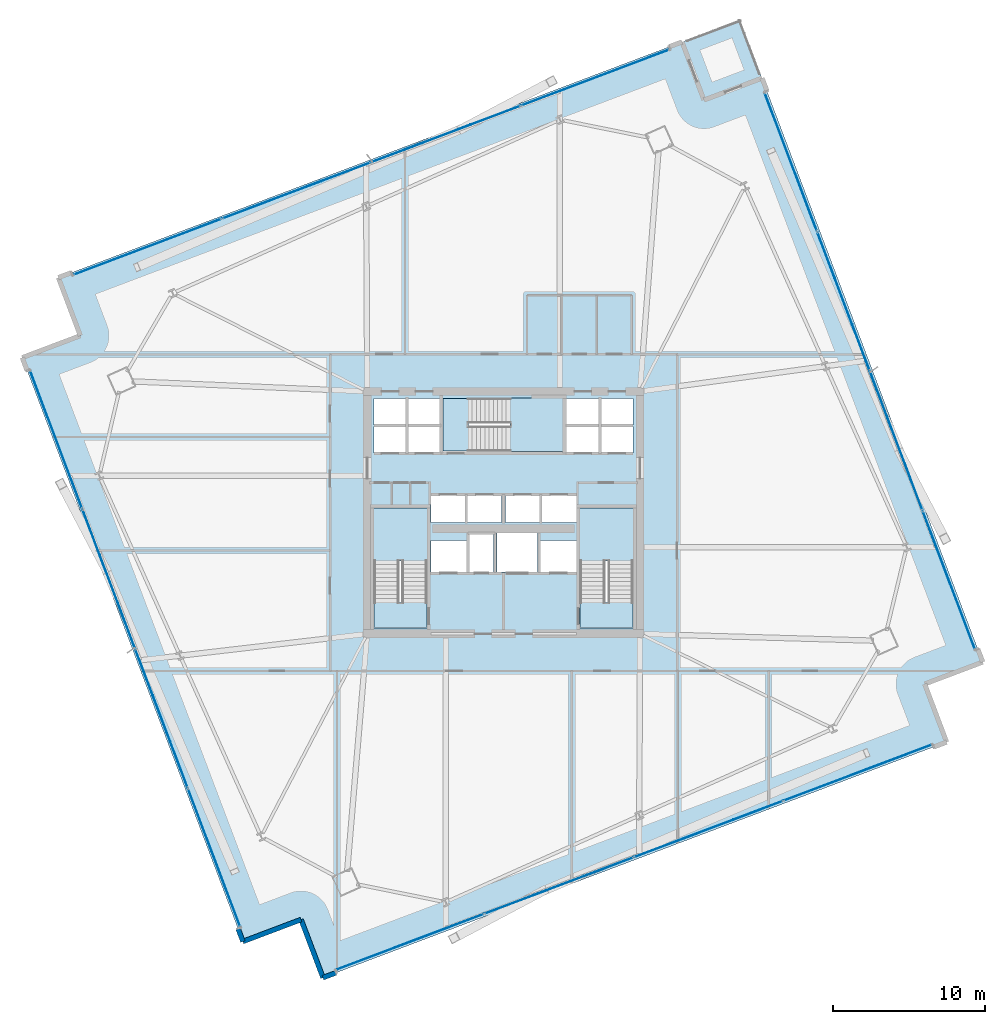
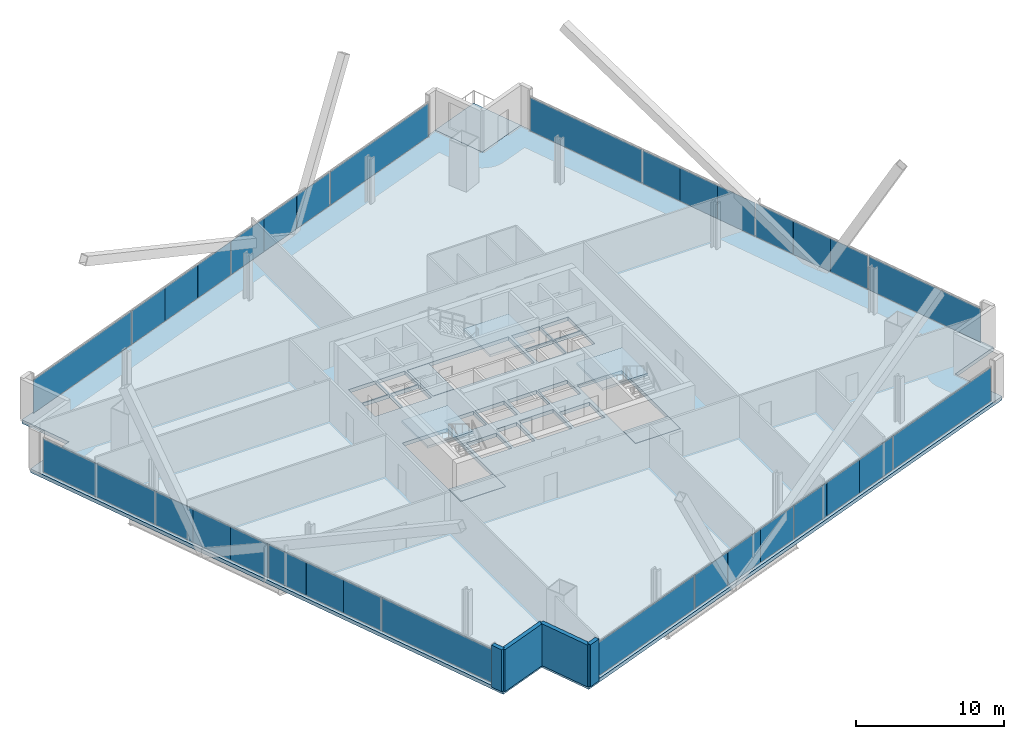
# One storey, part 28 of 37: 32 plates, 8 slabs, 4 walls, 7 elements without a shape of their own.
"""IFC4 building model written with IfcOpenShell, lengths in metres."""

from ifc_helpers import new_model, si_unit, direction, frame, frame_2d, origin, origin_2d, place, context, subcontext, project, spatial, polyline, rectangle, outline, extrude, source, transform, mapped, material, layer, layer_set, type_object, element, aggregate, save


model = new_model("IFC4")

# Units and contexts
model_context = context("Model", 3, precision=1e-05, world=origin(), true_north=direction((0.0, 1.0)))
body_context = subcontext(model_context, "Body", "Model", "MODEL_VIEW")
ifc_project = project(units=[si_unit("LENGTHUNIT", "METRE"), si_unit("AREAUNIT", "SQUARE_METRE"), si_unit("VOLUMEUNIT", "CUBIC_METRE"), si_unit("PLANEANGLEUNIT", "RADIAN"), si_unit("MASSUNIT", "GRAM", prefix="KILO")], contexts=[model_context])

# Site, building, storey
site_placement = place(None, origin())
site = spatial("IfcSite", under=ifc_project, at=site_placement, CompositionType="ELEMENT")
building_placement = place(site_placement, origin())
building = spatial("IfcBuilding", under=site, at=building_placement, Name="Haldenkirk Collegiate Tower", CompositionType="ELEMENT")
storey_placement = place(building_placement, frame((0.0, 0.0, 97.949951171875)))
storey = spatial("IfcBuildingStorey", under=building, at=storey_placement, Name="L23", CompositionType="ELEMENT", Elevation=97.949951171875)

# Slab
ifc_material_1 = material(Name="Concrete f'c 40 MPa", Category="concrete")
ifc_layer_1 = layer(ifc_material_1, 0.300048828125)
ifc_layer_set_1 = layer_set([ifc_layer_1], Name="Concrete f'c 40 MPa")
slab_type_1 = type_object("IfcSlabType", Name="SLB-FLR-300", PredefinedType="FLOOR", material=ifc_layer_set_1)
slab_1_placement = place(storey_placement, frame((0.0, 0.0, -0.300048828125)))
element("IfcSlab", 1, at=slab_1_placement, inside=storey, type_object=slab_type_1, Name="L23 composite structural floor slab", PredefinedType="FLOOR", context=body_context, shape_type="SweptSolid", body=[
    extrude(outline(polyline([(24.080322265625, -4.69482421875), (65.239990234375, 10.858154296875), (63.790771484375, 14.693359375), (67.6259765625, 16.142578125), (53.062744140625, 54.682861328125), (49.2275390625, 53.233642578125), (47.7783203125, 57.069091796875), (6.61865234375, 41.51611328125), (8.068115234375, 37.680908203125), (4.232666015625, 36.2314453125), (18.7958984375, -2.308837890625), (22.631103515625, -0.859619140625), (24.080322265625, -4.69482421875)]), holes=[polyline([(27.449951171875, 18.39990234375), (30.949951171875, 18.39990234375), (30.949951171875, 26.300048828125), (27.449951171875, 26.300048828125), (27.449951171875, 18.39990234375)]), polyline([(41.050048828125, 18.39990234375), (44.550048828125, 18.39990234375), (44.550048828125, 26.300048828125), (41.050048828125, 26.300048828125), (41.050048828125, 18.39990234375)]), polyline([(32.0, 30.050048828125), (39.89990234375, 30.050048828125), (39.89990234375, 33.550048828125), (32.0, 33.550048828125), (32.0, 30.050048828125)]), polyline([(33.75, 22.10009765625), (35.35009765625, 22.10009765625), (35.35009765625, 24.550048828125), (33.75, 24.550048828125), (33.75, 22.10009765625)]), polyline([(27.449951171875, 29.949951171875), (29.580078125, 29.949951171875), (29.580078125, 31.699951171875), (27.449951171875, 31.699951171875), (27.449951171875, 29.949951171875)]), polyline([(29.679931640625, 29.949951171875), (31.85009765625, 29.949951171875), (31.85009765625, 31.699951171875), (29.679931640625, 31.699951171875), (29.679931640625, 29.949951171875)]), polyline([(27.449951171875, 31.800048828125), (29.580078125, 31.800048828125), (29.580078125, 33.550048828125), (27.449951171875, 33.550048828125), (27.449951171875, 31.800048828125)]), polyline([(29.679931640625, 31.800048828125), (31.85009765625, 31.800048828125), (31.85009765625, 33.550048828125), (29.679931640625, 33.550048828125), (29.679931640625, 31.800048828125)]), polyline([(40.14990234375, 29.949951171875), (42.320068359375, 29.949951171875), (42.320068359375, 31.699951171875), (40.14990234375, 31.699951171875), (40.14990234375, 29.949951171875)]), polyline([(42.419921875, 29.949951171875), (44.550048828125, 29.949951171875), (44.550048828125, 31.699951171875), (42.419921875, 31.699951171875), (42.419921875, 29.949951171875)]), polyline([(40.14990234375, 31.800048828125), (42.320068359375, 31.800048828125), (42.320068359375, 33.550048828125), (40.14990234375, 33.550048828125), (40.14990234375, 31.800048828125)]), polyline([(42.419921875, 31.800048828125), (44.550048828125, 31.800048828125), (44.550048828125, 33.550048828125), (42.419921875, 33.550048828125), (42.419921875, 31.800048828125)]), polyline([(31.199951171875, 25.35009765625), (33.47998046875, 25.35009765625), (33.47998046875, 27.14990234375), (31.199951171875, 27.14990234375), (31.199951171875, 25.35009765625)]), polyline([(33.60009765625, 25.35009765625), (35.8798828125, 25.35009765625), (35.8798828125, 27.14990234375), (33.60009765625, 27.14990234375), (33.60009765625, 25.35009765625)]), polyline([(36.1201171875, 25.35009765625), (38.39990234375, 25.35009765625), (38.39990234375, 27.14990234375), (36.1201171875, 27.14990234375), (36.1201171875, 25.35009765625)]), polyline([(38.52001953125, 25.35009765625), (40.800048828125, 25.35009765625), (40.800048828125, 27.14990234375), (38.52001953125, 27.14990234375), (38.52001953125, 25.35009765625)]), polyline([(31.199951171875, 22.10009765625), (33.550048828125, 22.10009765625), (33.550048828125, 24.14990234375), (31.199951171875, 24.14990234375), (31.199951171875, 22.10009765625)]), polyline([(38.449951171875, 22.10009765625), (40.800048828125, 22.10009765625), (40.800048828125, 24.14990234375), (38.449951171875, 24.14990234375), (38.449951171875, 22.10009765625)]), polyline([(35.550048828125, 22.10009765625), (38.25, 22.10009765625), (38.25, 24.64990234375), (35.550048828125, 24.64990234375), (35.550048828125, 22.10009765625)])]), origin(), (0.0, 0.0, 1.0), 0.300048828125),
])

# Stair, slab
stair_type = type_object("IfcStairType", Name="STR-DOGLEG-1650", PredefinedType="HALF_TURN_STAIR", material=ifc_material_1)
stair_1_placement = place(storey_placement, origin())
stair_1 = element("IfcStair", 2, at=stair_1_placement, inside=storey, type_object=stair_type, Name="L23 Core Exit Stair ST-1", PredefinedType="HALF_TURN_STAIR")
ifc_layer_2 = layer(ifc_material_1, 0.199951171875)
ifc_layer_set_2 = layer_set([ifc_layer_2], Name="Concrete f'c 40 MPa")
slab_type_2 = type_object("IfcSlabType", Name="SLB-LANDING-200", PredefinedType="LANDING", material=ifc_layer_set_2)
slab_2_placement = place(storey_placement, frame((0.0, 0.0, 1.675048828125)))
slab_2 = element("IfcSlab", 3, at=slab_2_placement, type_object=slab_type_2, Name="ST-1 landing 1", PredefinedType="LANDING", context=body_context, shape_type="SweptSolid", body=[
    extrude(outline(polyline([(30.97509765625, 22.824951171875), (27.425048828125, 22.824951171875), (27.425048828125, 26.324951171875), (30.97509765625, 26.324951171875), (30.97509765625, 22.824951171875)])), origin(), (0.0, 0.0, 1.0), 0.199951171875),
])
aggregate(stair_1, [slab_2])

stair_2_placement = place(storey_placement, origin())
stair_2 = element("IfcStair", 4, at=stair_2_placement, inside=storey, type_object=stair_type, Name="L23 Core Exit Stair ST-2", PredefinedType="HALF_TURN_STAIR")
slab_3_placement = place(storey_placement, frame((0.0, 0.0, 1.675048828125)))
slab_3 = element("IfcSlab", 5, at=slab_3_placement, type_object=slab_type_2, Name="ST-2 landing 1", PredefinedType="LANDING", context=body_context, shape_type="SweptSolid", body=[
    extrude(outline(polyline([(44.574951171875, 22.824951171875), (41.02490234375, 22.824951171875), (41.02490234375, 26.324951171875), (44.574951171875, 26.324951171875), (44.574951171875, 22.824951171875)])), origin(), (0.0, 0.0, 1.0), 0.199951171875),
])
aggregate(stair_2, [slab_3])

stair_3_placement = place(storey_placement, origin())
stair_3 = element("IfcStair", 6, at=stair_3_placement, inside=storey, type_object=stair_type, Name="L23 Core Exit Stair ST-3", PredefinedType="HALF_TURN_STAIR")
slab_4_placement = place(storey_placement, frame((0.0, 0.0, 1.675048828125)))
slab_4 = element("IfcSlab", 7, at=slab_4_placement, type_object=slab_type_2, Name="ST-3 landing 1", PredefinedType="LANDING", context=body_context, shape_type="SweptSolid", body=[
    extrude(outline(polyline([(36.425048828125, 30.02490234375), (36.425048828125, 33.574951171875), (39.925048828125, 33.574951171875), (39.925048828125, 30.02490234375), (36.425048828125, 30.02490234375)])), origin(), (0.0, 0.0, 1.0), 0.199951171875),
])
aggregate(stair_3, [slab_4])

# Slabs
ifc_layer_3 = layer(ifc_material_1, 0.25)
ifc_layer_set_3 = layer_set([ifc_layer_3], Name="Concrete f'c 40 MPa")
slab_type_3 = type_object("IfcSlabType", Name="SLB-STAIRLAND-250", PredefinedType="LANDING", material=ifc_layer_set_3)
slab_5_placement = place(storey_placement, frame((0.0, 0.0, -0.25)))
element("IfcSlab", 8, at=slab_5_placement, inside=storey, type_object=slab_type_3, Name="L23 stair ST1 structural floor landing slab", PredefinedType="LANDING", context=body_context, shape_type="SweptSolid", body=[
    extrude(outline(polyline([(27.4599609375, 18.409912109375), (30.93994140625, 18.409912109375), (30.93994140625, 20.080078125), (27.4599609375, 20.080078125), (27.4599609375, 18.409912109375)])), origin(), (0.0, 0.0, 1.0), 0.25),
])
slab_6_placement = place(storey_placement, frame((0.0, 0.0, -0.25)))
element("IfcSlab", 9, at=slab_6_placement, inside=storey, type_object=slab_type_3, Name="L23 stair ST2 structural floor landing slab", PredefinedType="LANDING", context=body_context, shape_type="SweptSolid", body=[
    extrude(outline(polyline([(41.06005859375, 18.409912109375), (44.5400390625, 18.409912109375), (44.5400390625, 20.080078125), (41.06005859375, 20.080078125), (41.06005859375, 18.409912109375)])), origin(), (0.0, 0.0, 1.0), 0.25),
])
slab_7_placement = place(storey_placement, frame((0.0, 0.0, -0.25)))
element("IfcSlab", 10, at=slab_7_placement, inside=storey, type_object=slab_type_3, Name="L23 stair ST3 structural floor landing slab", PredefinedType="LANDING", context=body_context, shape_type="SweptSolid", body=[
    extrude(outline(polyline([(32.010009765625, 30.06005859375), (33.679931640625, 30.06005859375), (33.679931640625, 33.5400390625), (32.010009765625, 33.5400390625), (32.010009765625, 30.06005859375)])), origin(), (0.0, 0.0, 1.0), 0.25),
])
ifc_layer_4 = layer(ifc_material_1, 0.22998046875)
ifc_layer_set_4 = layer_set([ifc_layer_4], Name="Concrete f'c 40 MPa")
slab_type_4 = type_object("IfcSlabType", Name="SLB-TERR-SPIRAL-230", PredefinedType="FLOOR", material=ifc_layer_set_4)
slab_8_placement = place(storey_placement, frame((0.0, 0.0, -0.22998046875)))
element("IfcSlab", 11, at=slab_8_placement, inside=storey, type_object=slab_type_4, Name="L23 spiralling corner terrace slab", PredefinedType="FLOOR", context=body_context, shape_type="SweptSolid", body=[
    extrude(outline(polyline([(49.2275390625, 53.233642578125), (53.062744140625, 54.682861328125), (51.613525390625, 58.518310546875), (47.7783203125, 57.069091796875), (49.2275390625, 53.233642578125)])), origin(), (0.0, 0.0, 1.0), 0.22998046875),
])

# Curtain wall, plates
ifc_material_2 = material(Name="Anodised architectural bronze aluminium", Category="aluminium")
curtain_wall_type_1 = type_object("IfcCurtainWallType", Name="CW-SYS2-CONCAVE", PredefinedType="USERDEFINED", material=ifc_material_2)
curtain_wall_1_placement = place(storey_placement, origin())
curtain_wall_1 = element("IfcCurtainWall", 12, at=curtain_wall_1_placement, inside=storey, type_object=curtain_wall_type_1, Name="L23 South concave recessed bronze-anodised curtain wall", ObjectType="UNITISED CURTAIN WALL", PredefinedType="USERDEFINED")
ifc_material_3 = material(Name="Low-E argon triple insulating glass", Category="glass")
ifc_layer_5 = layer(ifc_material_3, 0.0419921875)
ifc_layer_set_5 = layer_set([ifc_layer_5], Name="Low-E argon triple insulating glass")
plate_type_1 = type_object("IfcPlateType", Name="CW-PNL-02", PredefinedType="CURTAIN_PANEL", material=ifc_layer_set_5)
shared_shape_1 = source(origin(), body_context, "Body", "SweptSolid", [
    extrude(rectangle(XDim=10.4375, YDim=0.0419921875, at=origin_2d()), origin(), (0.0, 0.0, 1.0), 2.7509765625),
])
plate_1_placement = place(storey_placement, frame((59.38232421875, 8.837158203125, 0.074951171875), z_axis=(0.0, 0.0, 1.0), x_axis=(-0.935443435417, -0.353476419489, 0.0)))
plate_1 = element("IfcPlate", 13, at=plate_1_placement, type_object=plate_type_1, Name="CW-02 panel 1.1", PredefinedType="CURTAIN_PANEL", context=body_context, shape_type="MappedRepresentation", body=[
    mapped(shared_shape_1, transform((0.0, 0.0, 0.0), x_axis=(1.0, 0.0, 0.0), y_axis=(0.0, 1.0, 0.0), z_axis=(0.0, 0.0, 1.0), scale=1.0)),
])
plate_2_placement = place(storey_placement, frame((29.810791015625, -2.337158203125, 0.074951171875), z_axis=(0.0, 0.0, 1.0), x_axis=(-0.935443435417, -0.353476419489, 0.0)))
plate_2 = element("IfcPlate", 14, at=plate_2_placement, type_object=plate_type_1, Name="CW-02 panel 4.1", PredefinedType="CURTAIN_PANEL", context=body_context, shape_type="MappedRepresentation", body=[
    mapped(shared_shape_1, transform((0.0, 0.0, 0.0), x_axis=(1.0, 0.0, 0.0), y_axis=(0.0, 1.0, 0.0), z_axis=(0.0, 0.0, 1.0), scale=1.0)),
])
shared_shape_2 = source(origin(), body_context, "Body", "SweptSolid", [
    extrude(rectangle(XDim=3.479248046875, YDim=0.0419921875, at=origin_2d()), origin(), (0.0, 0.0, 1.0), 2.7509765625),
])
plate_3_placement = place(storey_placement, frame((52.802978515625, 6.35107421875, 0.074951171875), z_axis=(0.0, 0.0, 1.0), x_axis=(-0.935443435417, -0.353476419489, 0.0)))
plate_3 = element("IfcPlate", 15, at=plate_3_placement, type_object=plate_type_1, Name="CW-02 panel 2.1a", PredefinedType="CURTAIN_PANEL", context=body_context, shape_type="MappedRepresentation", body=[
    mapped(shared_shape_2, transform((0.0, 0.0, 0.0), x_axis=(1.0, 0.0, 0.0), y_axis=(0.0, 1.0, 0.0), z_axis=(0.0, 0.0, 1.0), scale=1.0)),
])
ifc_material_4 = material(Name="Bronze-anodised insulated aluminium spandrel panel", Category="aluminium")
ifc_layer_6 = layer(ifc_material_4, 0.0419921875)
ifc_layer_set_6 = layer_set([ifc_layer_6], Name="Bronze-anodised insulated aluminium spandrel panel")
plate_type_2 = type_object("IfcPlateType", Name="CW-SPD-02", PredefinedType="CURTAIN_PANEL", material=ifc_layer_set_6)
plate_4_placement = place(storey_placement, frame((46.2587890625, 3.878173828125, 0.074951171875), z_axis=(0.0, 0.0, 1.0), x_axis=(-0.935443435417, -0.353476419489, 0.0)))
plate_4 = element("IfcPlate", 16, at=plate_4_placement, type_object=plate_type_2, Name="CW-02 spandrel panel 2.1c", PredefinedType="CURTAIN_PANEL", context=body_context, shape_type="MappedRepresentation", body=[
    mapped(shared_shape_2, transform((0.0, 0.0, 0.0), x_axis=(1.0, 0.0, 0.0), y_axis=(0.0, 1.0, 0.0), z_axis=(0.0, 0.0, 1.0), scale=1.0)),
])
plate_5_placement = place(storey_placement, frame((42.93408203125, 2.621826171875, 0.074951171875), z_axis=(0.0, 0.0, 1.0), x_axis=(-0.935443435417, -0.353476419489, 0.0)))
plate_5 = element("IfcPlate", 17, at=plate_5_placement, type_object=plate_type_2, Name="CW-02 spandrel panel 3.1a", PredefinedType="CURTAIN_PANEL", context=body_context, shape_type="MappedRepresentation", body=[
    mapped(shared_shape_2, transform((0.0, 0.0, 0.0), x_axis=(1.0, 0.0, 0.0), y_axis=(0.0, 1.0, 0.0), z_axis=(0.0, 0.0, 1.0), scale=1.0)),
])
plate_6_placement = place(storey_placement, frame((36.389892578125, 0.14892578125, 0.074951171875), z_axis=(0.0, 0.0, 1.0), x_axis=(-0.935443435417, -0.353476419489, 0.0)))
plate_6 = element("IfcPlate", 18, at=plate_6_placement, type_object=plate_type_2, Name="CW-02 spandrel panel 3.1c", PredefinedType="CURTAIN_PANEL", context=body_context, shape_type="MappedRepresentation", body=[
    mapped(shared_shape_2, transform((0.0, 0.0, 0.0), x_axis=(1.0, 0.0, 0.0), y_axis=(0.0, 1.0, 0.0), z_axis=(0.0, 0.0, 1.0), scale=1.0)),
])
shared_shape_3 = source(origin(), body_context, "Body", "SweptSolid", [
    extrude(rectangle(XDim=3.466796875, YDim=0.0419921875, at=origin_2d()), origin(), (0.0, 0.0, 1.0), 2.7509765625),
])
plate_7_placement = place(storey_placement, frame((49.531005859375, 5.114501953125, 0.074951171875), z_axis=(0.0, 0.0, 1.0), x_axis=(-0.935443435417, -0.353476419489, 0.0)))
plate_7 = element("IfcPlate", 19, at=plate_7_placement, type_object=plate_type_1, Name="CW-02 panel 2.1b", PredefinedType="CURTAIN_PANEL", context=body_context, shape_type="MappedRepresentation", body=[
    mapped(shared_shape_3, transform((0.0, 0.0, 0.0), x_axis=(1.0, 0.0, 0.0), y_axis=(0.0, 1.0, 0.0), z_axis=(0.0, 0.0, 1.0), scale=1.0)),
])
plate_8_placement = place(storey_placement, frame((39.662109375, 1.385498046875, 0.074951171875), z_axis=(0.0, 0.0, 1.0), x_axis=(-0.935443435417, -0.353476419489, 0.0)))
plate_8 = element("IfcPlate", 20, at=plate_8_placement, type_object=plate_type_2, Name="CW-02 spandrel panel 3.1b", PredefinedType="CURTAIN_PANEL", context=body_context, shape_type="MappedRepresentation", body=[
    mapped(shared_shape_3, transform((0.0, 0.0, 0.0), x_axis=(1.0, 0.0, 0.0), y_axis=(0.0, 1.0, 0.0), z_axis=(0.0, 0.0, 1.0), scale=1.0)),
])
aggregate(curtain_wall_1, [plate_1, plate_3, plate_7, plate_4, plate_5, plate_8, plate_6, plate_2])

curtain_wall_type_2 = type_object("IfcCurtainWallType", Name="CW-SYS1-CONVEX-LOW", PredefinedType="USERDEFINED", material=ifc_material_2)
curtain_wall_2_placement = place(storey_placement, origin())
curtain_wall_2 = element("IfcCurtainWall", 21, at=curtain_wall_2_placement, inside=storey, type_object=curtain_wall_type_2, Name="L23 Lower tower convex bronze-framed unitised curtain wall", ObjectType="UNITISED CURTAIN WALL", PredefinedType="USERDEFINED")
ifc_layer_7 = layer(ifc_material_3, 0.0439453125)
ifc_layer_set_7 = layer_set([ifc_layer_7], Name="Low-E argon triple insulating glass")
plate_type_3 = type_object("IfcPlateType", Name="CW-PNL-1A", PredefinedType="CURTAIN_PANEL", material=ifc_layer_set_7)
shared_shape_4 = source(origin(), body_context, "Body", "SweptSolid", [
    extrude(rectangle(XDim=9.72998046875, YDim=0.0439453125, at=origin_2d()), origin(), (0.0, 0.0, 1.0), 2.740966796875),
])
plate_9_placement = place(storey_placement, frame((54.96044921875, 49.151611328125, 0.080078125), z_axis=(0.0, 0.0, 1.0), x_axis=(0.35347682478, -0.93544328227, 0.0)))
plate_9 = element("IfcPlate", 22, at=plate_9_placement, type_object=plate_type_3, Name="CW-1A panel 1.1", PredefinedType="CURTAIN_PANEL", context=body_context, shape_type="MappedRepresentation", body=[
    mapped(shared_shape_4, transform((0.0, 0.0, 0.0), x_axis=(1.0, 0.0, 0.0), y_axis=(0.0, 1.0, 0.0), z_axis=(0.0, 0.0, 1.0), scale=1.0)),
])
plate_10_placement = place(storey_placement, frame((65.3916015625, 21.546630859375, 0.080078125), z_axis=(0.0, 0.0, 1.0), x_axis=(0.35347682478, -0.93544328227, 0.0)))
plate_10 = element("IfcPlate", 23, at=plate_10_placement, type_object=plate_type_3, Name="CW-1A panel 4.1", PredefinedType="CURTAIN_PANEL", context=body_context, shape_type="MappedRepresentation", body=[
    mapped(shared_shape_4, transform((0.0, 0.0, 0.0), x_axis=(1.0, 0.0, 0.0), y_axis=(0.0, 1.0, 0.0), z_axis=(0.0, 0.0, 1.0), scale=1.0)),
])

curtain_wall_3_placement = place(storey_placement, origin())
curtain_wall_3 = element("IfcCurtainWall", 24, at=curtain_wall_3_placement, inside=storey, type_object=curtain_wall_type_2, Name="L23 Lower tower convex bronze-framed unitised curtain wall", ObjectType="UNITISED CURTAIN WALL", PredefinedType="USERDEFINED")
plate_11_placement = place(storey_placement, frame((16.898193359375, 3.222412109375, 0.080078125), z_axis=(0.0, 0.0, 1.0), x_axis=(-0.35347682478, 0.93544328227, 0.0)))
plate_11 = element("IfcPlate", 25, at=plate_11_placement, type_object=plate_type_3, Name="CW-1A panel 1.1", PredefinedType="CURTAIN_PANEL", context=body_context, shape_type="MappedRepresentation", body=[
    mapped(shared_shape_4, transform((0.0, 0.0, 0.0), x_axis=(1.0, 0.0, 0.0), y_axis=(0.0, 1.0, 0.0), z_axis=(0.0, 0.0, 1.0), scale=1.0)),
])
plate_12_placement = place(storey_placement, frame((6.467041015625, 30.827392578125, 0.080078125), z_axis=(0.0, 0.0, 1.0), x_axis=(-0.35347682478, 0.93544328227, 0.0)))
plate_12 = element("IfcPlate", 26, at=plate_12_placement, type_object=plate_type_3, Name="CW-1A panel 4.1", PredefinedType="CURTAIN_PANEL", context=body_context, shape_type="MappedRepresentation", body=[
    mapped(shared_shape_4, transform((0.0, 0.0, 0.0), x_axis=(1.0, 0.0, 0.0), y_axis=(0.0, 1.0, 0.0), z_axis=(0.0, 0.0, 1.0), scale=1.0)),
])

# Plate
shared_shape_5 = source(origin(), body_context, "Body", "SweptSolid", [
    extrude(rectangle(XDim=3.244140625, YDim=0.0439453125, at=origin_2d()), origin(), (0.0, 0.0, 1.0), 2.740966796875),
])
plate_13_placement = place(storey_placement, frame((57.28173828125, 43.008544921875, 0.080078125), z_axis=(0.0, 0.0, 1.0), x_axis=(0.35347682478, -0.93544328227, 0.0)))
plate_13 = element("IfcPlate", 27, at=plate_13_placement, type_object=plate_type_3, Name="CW-1A panel 2.1a", PredefinedType="CURTAIN_PANEL", context=body_context, shape_type="MappedRepresentation", body=[
    mapped(shared_shape_5, transform((0.0, 0.0, 0.0), x_axis=(1.0, 0.0, 0.0), y_axis=(0.0, 1.0, 0.0), z_axis=(0.0, 0.0, 1.0), scale=1.0)),
])

ifc_layer_8 = layer(ifc_material_4, 0.0439453125)
ifc_layer_set_8 = layer_set([ifc_layer_8], Name="Bronze-anodised insulated aluminium spandrel panel")
plate_type_4 = type_object("IfcPlateType", Name="CW-SPD-1A", PredefinedType="CURTAIN_PANEL", material=ifc_layer_set_8)
plate_14_placement = place(storey_placement, frame((59.58837890625, 36.90380859375, 0.080078125), z_axis=(0.0, 0.0, 1.0), x_axis=(0.35347682478, -0.93544328227, 0.0)))
plate_14 = element("IfcPlate", 28, at=plate_14_placement, type_object=plate_type_4, Name="CW-1A spandrel panel 2.1c", PredefinedType="CURTAIN_PANEL", context=body_context, shape_type="MappedRepresentation", body=[
    mapped(shared_shape_5, transform((0.0, 0.0, 0.0), x_axis=(1.0, 0.0, 0.0), y_axis=(0.0, 1.0, 0.0), z_axis=(0.0, 0.0, 1.0), scale=1.0)),
])

plate_15_placement = place(storey_placement, frame((60.763427734375, 33.79443359375, 0.080078125), z_axis=(0.0, 0.0, 1.0), x_axis=(0.35347682478, -0.93544328227, 0.0)))
plate_15 = element("IfcPlate", 29, at=plate_15_placement, type_object=plate_type_4, Name="CW-1A spandrel panel 3.1a", PredefinedType="CURTAIN_PANEL", context=body_context, shape_type="MappedRepresentation", body=[
    mapped(shared_shape_5, transform((0.0, 0.0, 0.0), x_axis=(1.0, 0.0, 0.0), y_axis=(0.0, 1.0, 0.0), z_axis=(0.0, 0.0, 1.0), scale=1.0)),
])

plate_16_placement = place(storey_placement, frame((63.0703125, 27.689697265625, 0.080078125), z_axis=(0.0, 0.0, 1.0), x_axis=(0.35347682478, -0.93544328227, 0.0)))
plate_16 = element("IfcPlate", 30, at=plate_16_placement, type_object=plate_type_4, Name="CW-1A spandrel panel 3.1c", PredefinedType="CURTAIN_PANEL", context=body_context, shape_type="MappedRepresentation", body=[
    mapped(shared_shape_5, transform((0.0, 0.0, 0.0), x_axis=(1.0, 0.0, 0.0), y_axis=(0.0, 1.0, 0.0), z_axis=(0.0, 0.0, 1.0), scale=1.0)),
])

plate_17_placement = place(storey_placement, frame((14.576904296875, 9.365478515625, 0.080078125), z_axis=(0.0, 0.0, 1.0), x_axis=(-0.35347682478, 0.93544328227, 0.0)))
plate_17 = element("IfcPlate", 31, at=plate_17_placement, type_object=plate_type_3, Name="CW-1A panel 2.1a", PredefinedType="CURTAIN_PANEL", context=body_context, shape_type="MappedRepresentation", body=[
    mapped(shared_shape_5, transform((0.0, 0.0, 0.0), x_axis=(1.0, 0.0, 0.0), y_axis=(0.0, 1.0, 0.0), z_axis=(0.0, 0.0, 1.0), scale=1.0)),
])

plate_18_placement = place(storey_placement, frame((12.27001953125, 15.47021484375, 0.080078125), z_axis=(0.0, 0.0, 1.0), x_axis=(-0.35347682478, 0.93544328227, 0.0)))
plate_18 = element("IfcPlate", 32, at=plate_18_placement, type_object=plate_type_4, Name="CW-1A spandrel panel 2.1c", PredefinedType="CURTAIN_PANEL", context=body_context, shape_type="MappedRepresentation", body=[
    mapped(shared_shape_5, transform((0.0, 0.0, 0.0), x_axis=(1.0, 0.0, 0.0), y_axis=(0.0, 1.0, 0.0), z_axis=(0.0, 0.0, 1.0), scale=1.0)),
])

plate_19_placement = place(storey_placement, frame((11.09521484375, 18.57958984375, 0.080078125), z_axis=(0.0, 0.0, 1.0), x_axis=(-0.35347682478, 0.93544328227, 0.0)))
plate_19 = element("IfcPlate", 33, at=plate_19_placement, type_object=plate_type_4, Name="CW-1A spandrel panel 3.1a", PredefinedType="CURTAIN_PANEL", context=body_context, shape_type="MappedRepresentation", body=[
    mapped(shared_shape_5, transform((0.0, 0.0, 0.0), x_axis=(1.0, 0.0, 0.0), y_axis=(0.0, 1.0, 0.0), z_axis=(0.0, 0.0, 1.0), scale=1.0)),
])

plate_20_placement = place(storey_placement, frame((8.788330078125, 24.684326171875, 0.080078125), z_axis=(0.0, 0.0, 1.0), x_axis=(-0.35347682478, 0.93544328227, 0.0)))
plate_20 = element("IfcPlate", 34, at=plate_20_placement, type_object=plate_type_4, Name="CW-1A spandrel panel 3.1c", PredefinedType="CURTAIN_PANEL", context=body_context, shape_type="MappedRepresentation", body=[
    mapped(shared_shape_5, transform((0.0, 0.0, 0.0), x_axis=(1.0, 0.0, 0.0), y_axis=(0.0, 1.0, 0.0), z_axis=(0.0, 0.0, 1.0), scale=1.0)),
])

shared_shape_6 = source(origin(), body_context, "Body", "SweptSolid", [
    extrude(rectangle(XDim=3.231689453125, YDim=0.0439453125, at=origin_2d()), origin(), (0.0, 0.0, 1.0), 2.740966796875),
])
plate_21_placement = place(storey_placement, frame((58.43505859375, 39.956298828125, 0.080078125), z_axis=(0.0, 0.0, 1.0), x_axis=(0.35347682478, -0.93544328227, 0.0)))
plate_21 = element("IfcPlate", 35, at=plate_21_placement, type_object=plate_type_3, Name="CW-1A panel 2.1b", PredefinedType="CURTAIN_PANEL", context=body_context, shape_type="MappedRepresentation", body=[
    mapped(shared_shape_6, transform((0.0, 0.0, 0.0), x_axis=(1.0, 0.0, 0.0), y_axis=(0.0, 1.0, 0.0), z_axis=(0.0, 0.0, 1.0), scale=1.0)),
])

plate_22_placement = place(storey_placement, frame((61.9169921875, 30.7421875, 0.080078125), z_axis=(0.0, 0.0, 1.0), x_axis=(0.35347682478, -0.93544328227, 0.0)))
plate_22 = element("IfcPlate", 36, at=plate_22_placement, type_object=plate_type_4, Name="CW-1A spandrel panel 3.1b", PredefinedType="CURTAIN_PANEL", context=body_context, shape_type="MappedRepresentation", body=[
    mapped(shared_shape_6, transform((0.0, 0.0, 0.0), x_axis=(1.0, 0.0, 0.0), y_axis=(0.0, 1.0, 0.0), z_axis=(0.0, 0.0, 1.0), scale=1.0)),
])

aggregate(curtain_wall_2, [plate_9, plate_13, plate_21, plate_14, plate_15, plate_22, plate_16, plate_10])

plate_23_placement = place(storey_placement, frame((13.423583984375, 12.41796875, 0.080078125), z_axis=(0.0, 0.0, 1.0), x_axis=(-0.35347682478, 0.93544328227, 0.0)))
plate_23 = element("IfcPlate", 37, at=plate_23_placement, type_object=plate_type_3, Name="CW-1A panel 2.1b", PredefinedType="CURTAIN_PANEL", context=body_context, shape_type="MappedRepresentation", body=[
    mapped(shared_shape_6, transform((0.0, 0.0, 0.0), x_axis=(1.0, 0.0, 0.0), y_axis=(0.0, 1.0, 0.0), z_axis=(0.0, 0.0, 1.0), scale=1.0)),
])

plate_24_placement = place(storey_placement, frame((9.941650390625, 21.632080078125, 0.080078125), z_axis=(0.0, 0.0, 1.0), x_axis=(-0.35347682478, 0.93544328227, 0.0)))
plate_24 = element("IfcPlate", 38, at=plate_24_placement, type_object=plate_type_4, Name="CW-1A spandrel panel 3.1b", PredefinedType="CURTAIN_PANEL", context=body_context, shape_type="MappedRepresentation", body=[
    mapped(shared_shape_6, transform((0.0, 0.0, 0.0), x_axis=(1.0, 0.0, 0.0), y_axis=(0.0, 1.0, 0.0), z_axis=(0.0, 0.0, 1.0), scale=1.0)),
])

aggregate(curtain_wall_3, [plate_11, plate_17, plate_23, plate_18, plate_19, plate_24, plate_20, plate_12])

# Curtain wall, plates
curtain_wall_4_placement = place(storey_placement, origin())
curtain_wall_4 = element("IfcCurtainWall", 39, at=curtain_wall_4_placement, inside=storey, type_object=curtain_wall_type_2, Name="L23 Lower tower convex bronze-framed unitised curtain wall", ObjectType="UNITISED CURTAIN WALL", PredefinedType="USERDEFINED")
shared_shape_7 = source(origin(), body_context, "Body", "SweptSolid", [
    extrude(rectangle(XDim=10.429931640625, YDim=0.0439453125, at=origin_2d()), origin(), (0.0, 0.0, 1.0), 2.740966796875),
])
plate_25_placement = place(storey_placement, frame((12.477294921875, 43.537353515625, 0.080078125), z_axis=(0.0, 0.0, 1.0), x_axis=(0.935443435417, 0.353476419489, 0.0)))
plate_25 = element("IfcPlate", 40, at=plate_25_placement, type_object=plate_type_3, Name="CW-1A panel 1.1", PredefinedType="CURTAIN_PANEL", context=body_context, shape_type="MappedRepresentation", body=[
    mapped(shared_shape_7, transform((0.0, 0.0, 0.0), x_axis=(1.0, 0.0, 0.0), y_axis=(0.0, 1.0, 0.0), z_axis=(0.0, 0.0, 1.0), scale=1.0)),
])
plate_26_placement = place(storey_placement, frame((42.046630859375, 54.7109375, 0.080078125), z_axis=(0.0, 0.0, 1.0), x_axis=(0.935443435417, 0.353476419489, 0.0)))
plate_26 = element("IfcPlate", 41, at=plate_26_placement, type_object=plate_type_3, Name="CW-1A panel 4.1", PredefinedType="CURTAIN_PANEL", context=body_context, shape_type="MappedRepresentation", body=[
    mapped(shared_shape_7, transform((0.0, 0.0, 0.0), x_axis=(1.0, 0.0, 0.0), y_axis=(0.0, 1.0, 0.0), z_axis=(0.0, 0.0, 1.0), scale=1.0)),
])
shared_shape_8 = source(origin(), body_context, "Body", "SweptSolid", [
    extrude(rectangle(XDim=3.4775390625, YDim=0.0439453125, at=origin_2d()), origin(), (0.0, 0.0, 1.0), 2.740966796875),
])
plate_27_placement = place(storey_placement, frame((19.056884765625, 46.023681640625, 0.080078125), z_axis=(0.0, 0.0, 1.0), x_axis=(0.935443435417, 0.353476419489, 0.0)))
plate_27 = element("IfcPlate", 42, at=plate_27_placement, type_object=plate_type_3, Name="CW-1A panel 2.1a", PredefinedType="CURTAIN_PANEL", context=body_context, shape_type="MappedRepresentation", body=[
    mapped(shared_shape_8, transform((0.0, 0.0, 0.0), x_axis=(1.0, 0.0, 0.0), y_axis=(0.0, 1.0, 0.0), z_axis=(0.0, 0.0, 1.0), scale=1.0)),
])
plate_28_placement = place(storey_placement, frame((25.59814453125, 48.495361328125, 0.080078125), z_axis=(0.0, 0.0, 1.0), x_axis=(0.935443435417, 0.353476419489, 0.0)))
plate_28 = element("IfcPlate", 43, at=plate_28_placement, type_object=plate_type_4, Name="CW-1A spandrel panel 2.1c", PredefinedType="CURTAIN_PANEL", context=body_context, shape_type="MappedRepresentation", body=[
    mapped(shared_shape_8, transform((0.0, 0.0, 0.0), x_axis=(1.0, 0.0, 0.0), y_axis=(0.0, 1.0, 0.0), z_axis=(0.0, 0.0, 1.0), scale=1.0)),
])
plate_29_placement = place(storey_placement, frame((28.926025390625, 49.7529296875, 0.080078125), z_axis=(0.0, 0.0, 1.0), x_axis=(0.935443435417, 0.353476419489, 0.0)))
plate_29 = element("IfcPlate", 44, at=plate_29_placement, type_object=plate_type_4, Name="CW-1A spandrel panel 3.1a", PredefinedType="CURTAIN_PANEL", context=body_context, shape_type="MappedRepresentation", body=[
    mapped(shared_shape_8, transform((0.0, 0.0, 0.0), x_axis=(1.0, 0.0, 0.0), y_axis=(0.0, 1.0, 0.0), z_axis=(0.0, 0.0, 1.0), scale=1.0)),
])
plate_30_placement = place(storey_placement, frame((35.467041015625, 52.224609375, 0.080078125), z_axis=(0.0, 0.0, 1.0), x_axis=(0.935443435417, 0.353476419489, 0.0)))
plate_30 = element("IfcPlate", 45, at=plate_30_placement, type_object=plate_type_4, Name="CW-1A spandrel panel 3.1c", PredefinedType="CURTAIN_PANEL", context=body_context, shape_type="MappedRepresentation", body=[
    mapped(shared_shape_8, transform((0.0, 0.0, 0.0), x_axis=(1.0, 0.0, 0.0), y_axis=(0.0, 1.0, 0.0), z_axis=(0.0, 0.0, 1.0), scale=1.0)),
])
shared_shape_9 = source(origin(), body_context, "Body", "SweptSolid", [
    extrude(rectangle(XDim=3.465087890625, YDim=0.0439453125, at=origin_2d()), origin(), (0.0, 0.0, 1.0), 2.740966796875),
])
plate_31_placement = place(storey_placement, frame((22.32763671875, 47.259521484375, 0.080078125), z_axis=(0.0, 0.0, 1.0), x_axis=(0.935443435417, 0.353476419489, 0.0)))
plate_31 = element("IfcPlate", 46, at=plate_31_placement, type_object=plate_type_3, Name="CW-1A panel 2.1b", PredefinedType="CURTAIN_PANEL", context=body_context, shape_type="MappedRepresentation", body=[
    mapped(shared_shape_9, transform((0.0, 0.0, 0.0), x_axis=(1.0, 0.0, 0.0), y_axis=(0.0, 1.0, 0.0), z_axis=(0.0, 0.0, 1.0), scale=1.0)),
])
plate_32_placement = place(storey_placement, frame((32.196533203125, 50.98876953125, 0.080078125), z_axis=(0.0, 0.0, 1.0), x_axis=(0.935443435417, 0.353476419489, 0.0)))
plate_32 = element("IfcPlate", 47, at=plate_32_placement, type_object=plate_type_4, Name="CW-1A spandrel panel 3.1b", PredefinedType="CURTAIN_PANEL", context=body_context, shape_type="MappedRepresentation", body=[
    mapped(shared_shape_9, transform((0.0, 0.0, 0.0), x_axis=(1.0, 0.0, 0.0), y_axis=(0.0, 1.0, 0.0), z_axis=(0.0, 0.0, 1.0), scale=1.0)),
])
aggregate(curtain_wall_4, [plate_25, plate_27, plate_31, plate_28, plate_29, plate_32, plate_30, plate_26])

# Walls
ifc_material_5 = material(Name="Precast concrete f'c 40 MPa", Category="concrete")
ifc_layer_9 = layer(ifc_material_5, 0.320068359375)
ifc_layer_set_9 = layer_set([ifc_layer_9], Name="Precast concrete f'c 40 MPa")
wall_type = type_object("IfcWallType", Name="WL-EXT-TWR-320", PredefinedType="STANDARD", material=ifc_layer_set_9)
for number, where, z_axis, x_axis, name in (
    (48, (24.92236328125, -4.376708984375, 0.0), (0.0, 0.0, 1.0), (-0.935468108396, -0.353411117785, 0.0), "L23 precast corner pier SR"),
    (49, (18.7958984375, -2.308837890625, 0.0), (0.0, 0.0, 1.0), (-0.353411117785, 0.935468108396, 0.0), "L23 precast corner pier WL"),
):
    element("IfcWall", number, at=place(storey_placement, frame(where, z_axis=z_axis, x_axis=x_axis)), inside=storey, type_object=wall_type, Name=name, PredefinedType="STANDARD", context=body_context, shape_type="SweptSolid", body=[
        extrude(rectangle(XDim=0.900146484375, YDim=0.320068359375, at=frame_2d((0.4501953125, 0.0))), origin(), (0.0, 0.0, 1.0), 3.449951171875),
    ])
for number, where, z_axis, x_axis, name in (
    (50, (22.631103515625, -0.859619140625, 0.0), (0.0, 0.0, 1.0), (-0.935442779556, -0.353478155162, 0.0), "L23 bronze precast notch wall 11"),
    (51, (24.080322265625, -4.69482421875, 0.0), (0.0, 0.0, 1.0), (-0.353478155162, 0.935442779556, 0.0), "L23 bronze precast notch wall 12"),
):
    element("IfcWall", number, at=place(storey_placement, frame(where, z_axis=z_axis, x_axis=x_axis)), inside=storey, type_object=wall_type, Name=name, PredefinedType="STANDARD", context=body_context, shape_type="SweptSolid", body=[
        extrude(rectangle(XDim=4.099853515625, YDim=0.320068359375, at=frame_2d((2.0498046875, 0.0))), origin(), (0.0, 0.0, 1.0), 3.449951171875),
    ])

save(model, "model.ifc")
